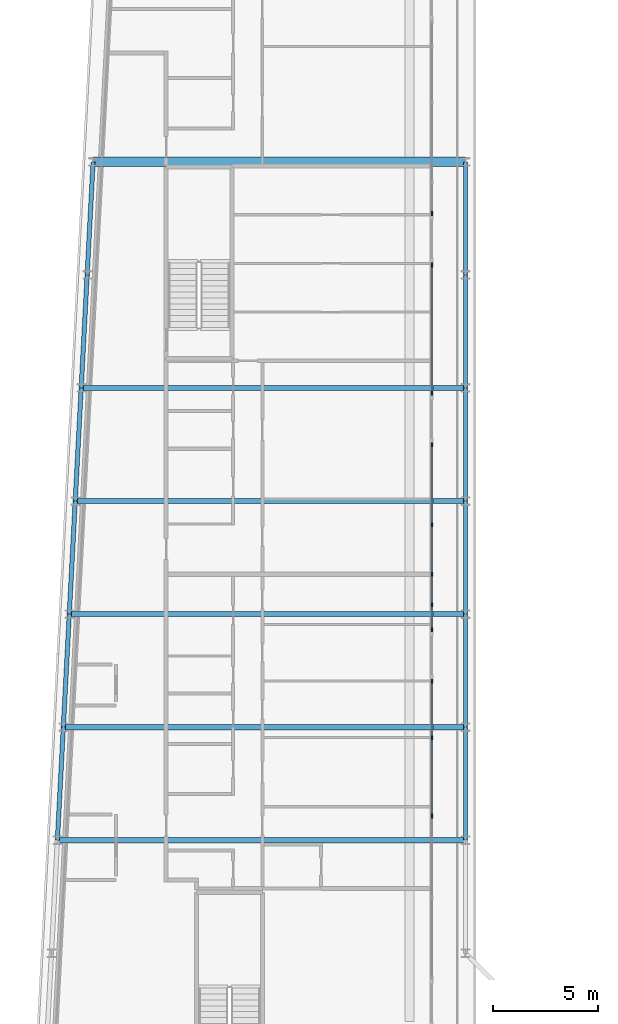
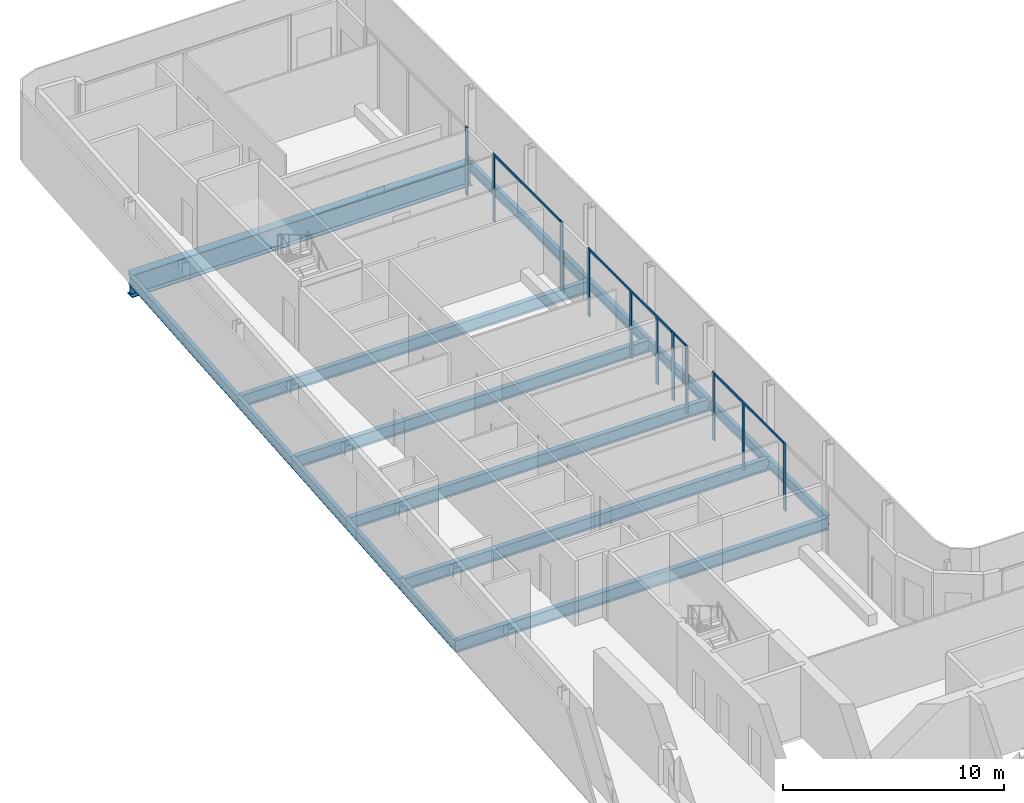
# One storey, part 7 of 21: 18 beams, 15 members, 5 elements without a shape of their own.
"""IFC4 building model written with IfcOpenShell, lengths in metres."""

from ifc_helpers import new_model, si_unit, direction, frame, origin, origin_2d, place, context, subcontext, project, spatial, rectangle, i_section, extrude, material, layer, layer_set, material_profile, profile_set, type_object, element, aggregate, save


model = new_model("IFC4")

# Units and contexts
model_context = context("Model", 3, precision=1e-05, world=origin(), true_north=direction((0.0, 1.0)))
body_context = subcontext(model_context, "Body", "Model", "MODEL_VIEW")
ifc_project = project(units=[si_unit("LENGTHUNIT", "METRE"), si_unit("AREAUNIT", "SQUARE_METRE"), si_unit("VOLUMEUNIT", "CUBIC_METRE"), si_unit("PLANEANGLEUNIT", "RADIAN"), si_unit("MASSUNIT", "GRAM", prefix="KILO")], contexts=[model_context])

# Site, building, storey
site_placement = place(None, origin())
site = spatial("IfcSite", under=ifc_project, at=site_placement, CompositionType="ELEMENT")
building_placement = place(site_placement, origin())
building = spatial("IfcBuilding", under=site, at=building_placement, Name="Kheshtan School and Residences Tower", CompositionType="ELEMENT")
storey_placement = place(building_placement, frame((0.0, 0.0, 313.699951171875)))
storey = spatial("IfcBuildingStorey", under=building, at=storey_placement, Name="L74", CompositionType="ELEMENT", Elevation=313.699951171875)

# Beams
ifc_material_1 = material(Name="Steel ASTM A992 Grade 50", Category="steel")
ifc_material_profile_1 = material_profile(ifc_material_1, i_section(OverallWidth=0.2529296875, OverallDepth=0.677978515625, WebThickness=0.01171875, FlangeThickness=0.016357421875, FilletRadius=0.0146484375, at=origin_2d()), Name="W690x125")
ifc_profile_set_1 = profile_set([ifc_material_profile_1], Name="Steel ASTM A992 Grade 50")
beam_type_1 = type_object("IfcBeamType", Name="Beam FB6 W690x125 ASTM A992 Grade 50", PredefinedType="BEAM", material=ifc_profile_set_1)
beam_1_placement = place(storey_placement, frame((47.60009765625, 78.0, -0.489013671875), z_axis=(-1.0, 0.0, 0.0), x_axis=(0.0, -1.0, 0.0)))
element("IfcBeam", 1, at=beam_1_placement, inside=storey, type_object=beam_type_1, Name="Floor beam C089", PredefinedType="BEAM", context=body_context, shape_type="SweptSolid", body=[
    extrude(i_section(OverallWidth=0.2529296875, OverallDepth=0.677978515625, WebThickness=0.01171875, FlangeThickness=0.016357421875, FilletRadius=0.0146484375, at=origin_2d()), origin(), (0.0, 0.0, 1.0), 18.357177734375),
])
beam_2_placement = place(storey_placement, frame((47.60009765625, 67.199951171875, -0.489013671875), z_axis=(-1.0, 0.0, 0.0), x_axis=(0.0, -1.0, 0.0)))
element("IfcBeam", 2, at=beam_2_placement, inside=storey, type_object=beam_type_1, Name="Floor beam C085", PredefinedType="BEAM", context=body_context, shape_type="SweptSolid", body=[
    extrude(i_section(OverallWidth=0.2529296875, OverallDepth=0.677978515625, WebThickness=0.01171875, FlangeThickness=0.016357421875, FilletRadius=0.0146484375, at=origin_2d()), origin(), (0.0, 0.0, 1.0), 18.926025390625),
])
beam_3_placement = place(storey_placement, frame((47.60009765625, 56.39990234375, -0.489013671875), z_axis=(-1.0, 0.0, 0.0), x_axis=(0.0, -1.0, 0.0)))
element("IfcBeam", 3, at=beam_3_placement, inside=storey, type_object=beam_type_1, Name="Floor beam C081", PredefinedType="BEAM", context=body_context, shape_type="SweptSolid", body=[
    extrude(i_section(OverallWidth=0.2529296875, OverallDepth=0.677978515625, WebThickness=0.01171875, FlangeThickness=0.016357421875, FilletRadius=0.0146484375, at=origin_2d()), origin(), (0.0, 0.0, 1.0), 19.494140625),
])
beam_4_placement = place(storey_placement, frame((28.389892578125, 61.800048828125, -0.489013671875), z_axis=(1.0, 0.0, 0.0), x_axis=(0.0, 1.0, 0.0)))
element("IfcBeam", 4, at=beam_4_placement, inside=storey, type_object=beam_type_1, Name="Floor beam C082", PredefinedType="BEAM", context=body_context, shape_type="SweptSolid", body=[
    extrude(i_section(OverallWidth=0.2529296875, OverallDepth=0.677978515625, WebThickness=0.01171875, FlangeThickness=0.016357421875, FilletRadius=0.0146484375, at=origin_2d()), origin(), (0.0, 0.0, 1.0), 19.210205078125),
])
beam_5_placement = place(storey_placement, frame((28.9580078125, 72.60009765625, -0.489013671875), z_axis=(1.0, 0.0, 0.0), x_axis=(0.0, 1.0, 0.0)))
element("IfcBeam", 5, at=beam_5_placement, inside=storey, type_object=beam_type_1, Name="Floor beam C086", PredefinedType="BEAM", context=body_context, shape_type="SweptSolid", body=[
    extrude(i_section(OverallWidth=0.2529296875, OverallDepth=0.677978515625, WebThickness=0.01171875, FlangeThickness=0.016357421875, FilletRadius=0.0146484375, at=origin_2d()), origin(), (0.0, 0.0, 1.0), 18.64208984375),
])
ifc_material_profile_2 = material_profile(ifc_material_1, i_section(OverallWidth=0.208984375, OverallDepth=0.532958984375, WebThickness=0.01025390625, FlangeThickness=0.015625, FilletRadius=0.013916015625, at=origin_2d()), Name="W530x92")
ifc_profile_set_2 = profile_set([ifc_material_profile_2], Name="Steel ASTM A992 Grade 50")
beam_type_2 = type_object("IfcBeamType", Name="Beam SP3 W530x92 ASTM A992 Grade 50", PredefinedType="BEAM", material=ifc_profile_set_2)
beam_6_placement = place(storey_placement, frame((47.60009765625, 88.800048828125, -0.41650390625), z_axis=(0.0, -1.0, 0.0), x_axis=(1.0, 0.0, 0.0)))
element("IfcBeam", 6, at=beam_6_placement, inside=storey, type_object=beam_type_2, Name="Spandrel beam C099-C091", PredefinedType="BEAM", context=body_context, shape_type="SweptSolid", body=[
    extrude(i_section(OverallWidth=0.208984375, OverallDepth=0.532958984375, WebThickness=0.01025390625, FlangeThickness=0.015625, FilletRadius=0.013916015625, at=origin_2d()), origin(), (0.0, 0.0, 1.0), 5.400146484375),
])
for number, where, z_axis, x_axis, name in (
    (7, (47.60009765625, 83.39990234375, -0.41650390625), (0.0, -1.0, 0.0), (1.0, 0.0, 0.0), "Spandrel beam C091-C089"),
    (8, (47.60009765625, 78.0, -0.41650390625), (0.0, -1.0, 0.0), (1.0, 0.0, 0.0), "Spandrel beam C089-C087"),
):
    element("IfcBeam", number, at=place(storey_placement, frame(where, z_axis=z_axis, x_axis=x_axis)), inside=storey, type_object=beam_type_2, Name=name, PredefinedType="BEAM", context=body_context, shape_type="SweptSolid", body=[
        extrude(i_section(OverallWidth=0.208984375, OverallDepth=0.532958984375, WebThickness=0.01025390625, FlangeThickness=0.015625, FilletRadius=0.013916015625, at=origin_2d()), origin(), (0.0, 0.0, 1.0), 5.39990234375),
    ])
beam_7_placement = place(storey_placement, frame((47.60009765625, 72.60009765625, -0.41650390625), z_axis=(0.0, -1.0, 0.0), x_axis=(1.0, 0.0, 0.0)))
element("IfcBeam", 9, at=beam_7_placement, inside=storey, type_object=beam_type_2, Name="Spandrel beam C087-C085", PredefinedType="BEAM", context=body_context, shape_type="SweptSolid", body=[
    extrude(i_section(OverallWidth=0.208984375, OverallDepth=0.532958984375, WebThickness=0.01025390625, FlangeThickness=0.015625, FilletRadius=0.013916015625, at=origin_2d()), origin(), (0.0, 0.0, 1.0), 5.400146484375),
])
beam_8_placement = place(storey_placement, frame((47.60009765625, 67.199951171875, -0.41650390625), z_axis=(0.0, -1.0, 0.0), x_axis=(1.0, 0.0, 0.0)))
element("IfcBeam", 10, at=beam_8_placement, inside=storey, type_object=beam_type_2, Name="Spandrel beam C085-C083", PredefinedType="BEAM", context=body_context, shape_type="SweptSolid", body=[
    extrude(i_section(OverallWidth=0.208984375, OverallDepth=0.532958984375, WebThickness=0.01025390625, FlangeThickness=0.015625, FilletRadius=0.013916015625, at=origin_2d()), origin(), (0.0, 0.0, 1.0), 5.39990234375),
])
beam_9_placement = place(storey_placement, frame((47.60009765625, 61.800048828125, -0.41650390625), z_axis=(0.0, -1.0, 0.0), x_axis=(1.0, 0.0, 0.0)))
element("IfcBeam", 11, at=beam_9_placement, inside=storey, type_object=beam_type_2, Name="Spandrel beam C083-C081", PredefinedType="BEAM", context=body_context, shape_type="SweptSolid", body=[
    extrude(i_section(OverallWidth=0.208984375, OverallDepth=0.532958984375, WebThickness=0.01025390625, FlangeThickness=0.015625, FilletRadius=0.013916015625, at=origin_2d()), origin(), (0.0, 0.0, 1.0), 5.400146484375),
])
beam_10_placement = place(storey_placement, frame((28.10595703125, 56.39990234375, -0.41650390625), z_axis=(0.05250670125, 0.998620571751, 0.0), x_axis=(-0.998620571751, 0.05250670125, 0.0)))
element("IfcBeam", 12, at=beam_10_placement, inside=storey, type_object=beam_type_2, Name="Spandrel beam C080-C082", PredefinedType="BEAM", context=body_context, shape_type="SweptSolid", body=[
    extrude(i_section(OverallWidth=0.208984375, OverallDepth=0.532958984375, WebThickness=0.01025390625, FlangeThickness=0.015625, FilletRadius=0.013916015625, at=origin_2d()), origin(), (0.0, 0.0, 1.0), 5.40771484375),
])
beam_11_placement = place(storey_placement, frame((28.389892578125, 61.800048828125, -0.41650390625), z_axis=(0.052554093665, 0.998618078766, 0.0), x_axis=(-0.998618078766, 0.052554093665, 0.0)))
element("IfcBeam", 13, at=beam_11_placement, inside=storey, type_object=beam_type_2, Name="Spandrel beam C082-C084", PredefinedType="BEAM", context=body_context, shape_type="SweptSolid", body=[
    extrude(i_section(OverallWidth=0.208984375, OverallDepth=0.532958984375, WebThickness=0.01025390625, FlangeThickness=0.015625, FilletRadius=0.013916015625, at=origin_2d()), origin(), (0.0, 0.0, 1.0), 5.407470703125),
])
beam_12_placement = place(storey_placement, frame((28.674072265625, 67.199951171875, -0.41650390625), z_axis=(0.05250670125, 0.998620571751, 0.0), x_axis=(-0.998620571751, 0.05250670125, 0.0)))
element("IfcBeam", 14, at=beam_12_placement, inside=storey, type_object=beam_type_2, Name="Spandrel beam C084-C086", PredefinedType="BEAM", context=body_context, shape_type="SweptSolid", body=[
    extrude(i_section(OverallWidth=0.208984375, OverallDepth=0.532958984375, WebThickness=0.01025390625, FlangeThickness=0.015625, FilletRadius=0.013916015625, at=origin_2d()), origin(), (0.0, 0.0, 1.0), 5.40771484375),
])
for number, where, z_axis, x_axis, name in (
    (15, (28.9580078125, 72.60009765625, -0.41650390625), (0.052689166816, 0.998610961136, 0.0), (-0.998610961136, 0.052689166816, 0.0), "Spandrel beam C086-C088"),
    (16, (29.242919921875, 78.0, -0.41650390625), (0.052554093665, 0.998618078766, 0.0), (-0.998618078766, 0.052554093665, 0.0), "Spandrel beam C088-C090"),
):
    element("IfcBeam", number, at=place(storey_placement, frame(where, z_axis=z_axis, x_axis=x_axis)), inside=storey, type_object=beam_type_2, Name=name, PredefinedType="BEAM", context=body_context, shape_type="SweptSolid", body=[
        extrude(i_section(OverallWidth=0.208984375, OverallDepth=0.532958984375, WebThickness=0.01025390625, FlangeThickness=0.015625, FilletRadius=0.013916015625, at=origin_2d()), origin(), (0.0, 0.0, 1.0), 5.407470703125),
    ])
beam_13_placement = place(storey_placement, frame((29.527099609375, 83.39990234375, -0.41650390625), z_axis=(0.05250670125, 0.998620571751, 0.0), x_axis=(-0.998620571751, 0.05250670125, 0.0)))
element("IfcBeam", 17, at=beam_13_placement, inside=storey, type_object=beam_type_2, Name="Spandrel beam C090-C098", PredefinedType="BEAM", context=body_context, shape_type="SweptSolid", body=[
    extrude(i_section(OverallWidth=0.208984375, OverallDepth=0.532958984375, WebThickness=0.01025390625, FlangeThickness=0.015625, FilletRadius=0.013916015625, at=origin_2d()), origin(), (0.0, 0.0, 1.0), 5.40771484375),
])

# Curtain wall, member
ifc_material_2 = material(Name="Clear low-e glass in thermally broken aluminium frame", Category="aluminium")
ifc_layer = layer(ifc_material_2, 0.199951171875)
ifc_layer_set = layer_set([ifc_layer], Name="Curtain wall CW-L")
curtain_wall_type = type_object("IfcCurtainWallType", Name="Curtain wall CW-L", PredefinedType="NOTDEFINED", material=ifc_layer_set)
curtain_wall_1_placement = place(storey_placement, origin())
curtain_wall_1 = element("IfcCurtainWall", 18, at=curtain_wall_1_placement, inside=storey, type_object=curtain_wall_type, Name="Curtain wall CWL8a", PredefinedType="NOTDEFINED")
ifc_material_3 = material(Name="Thermally broken aluminium, dark bronze anodised", Category="aluminium")
ifc_material_profile_3 = material_profile(ifc_material_3, rectangle(XDim=0.06005859375, YDim=0.199951171875, at=origin_2d()), Name="CW-L mullion 60x200")
ifc_profile_set_3 = profile_set([ifc_material_profile_3], Name="Thermally broken aluminium, dark bronze anodised")
member_type_1 = type_object("IfcMemberType", Name="CW-L mullion 60x200", PredefinedType="MULLION", material=ifc_profile_set_3)
member_1_placement = place(storey_placement, frame((46.0, 86.3359375, 0.0), z_axis=(0.0, 0.0, 1.0), x_axis=(1.0, 0.0, 0.0)))
member_1 = element("IfcMember", 19, at=member_1_placement, type_object=member_type_1, Name="CWL8a mullion 2", PredefinedType="MULLION", context=body_context, shape_type="SweptSolid", body=[
    extrude(rectangle(XDim=0.06005859375, YDim=0.199951171875, at=origin_2d()), origin(), (0.0, 0.0, 1.0), 3.75),
])
aggregate(curtain_wall_1, [member_1])

# Curtain wall, members
curtain_wall_2_placement = place(storey_placement, origin())
curtain_wall_2 = element("IfcCurtainWall", 20, at=curtain_wall_2_placement, inside=storey, type_object=curtain_wall_type, Name="Curtain wall CWL8d", PredefinedType="NOTDEFINED")
member_2_placement = place(storey_placement, frame((46.0, 83.8759765625, 0.0), z_axis=(0.0, 0.0, 1.0), x_axis=(1.0, 0.0, 0.0)))
member_2 = element("IfcMember", 21, at=member_2_placement, type_object=member_type_1, Name="CWL8d mullion 1", PredefinedType="MULLION", context=body_context, shape_type="SweptSolid", body=[
    extrude(rectangle(XDim=0.06005859375, YDim=0.199951171875, at=origin_2d()), origin(), (0.0, 0.0, 1.0), 3.75),
])
member_3_placement = place(storey_placement, frame((46.0, 77.741943359375, 0.0), z_axis=(0.0, 0.0, 1.0), x_axis=(1.0, 0.0, 0.0)))
member_3 = element("IfcMember", 22, at=member_3_placement, type_object=member_type_1, Name="CWL8d mullion 2", PredefinedType="MULLION", context=body_context, shape_type="SweptSolid", body=[
    extrude(rectangle(XDim=0.06005859375, YDim=0.199951171875, at=origin_2d()), origin(), (0.0, 0.0, 1.0), 3.75),
])

curtain_wall_3_placement = place(storey_placement, origin())
curtain_wall_3 = element("IfcCurtainWall", 23, at=curtain_wall_3_placement, inside=storey, type_object=curtain_wall_type, Name="Curtain wall CWL8c", PredefinedType="NOTDEFINED")
member_4_placement = place(storey_placement, frame((46.0, 75.281982421875, 0.0), z_axis=(0.0, 0.0, 1.0), x_axis=(1.0, 0.0, 0.0)))
member_4 = element("IfcMember", 24, at=member_4_placement, type_object=member_type_1, Name="CWL8c mullion 1", PredefinedType="MULLION", context=body_context, shape_type="SweptSolid", body=[
    extrude(rectangle(XDim=0.06005859375, YDim=0.199951171875, at=origin_2d()), origin(), (0.0, 0.0, 1.0), 3.75),
])
member_5_placement = place(storey_placement, frame((46.0, 71.465087890625, 0.0), z_axis=(0.0, 0.0, 1.0), x_axis=(1.0, 0.0, 0.0)))
member_5 = element("IfcMember", 25, at=member_5_placement, type_object=member_type_1, Name="CWL8c mullion 2", PredefinedType="MULLION", context=body_context, shape_type="SweptSolid", body=[
    extrude(rectangle(XDim=0.06005859375, YDim=0.199951171875, at=origin_2d()), origin(), (0.0, 0.0, 1.0), 3.630126953125),
])
member_6_placement = place(storey_placement, frame((46.0, 69.10009765625, 0.0), z_axis=(0.0, 0.0, 1.0), x_axis=(1.0, 0.0, 0.0)))
member_6 = element("IfcMember", 26, at=member_6_placement, type_object=member_type_1, Name="CWL8c mullion 3", PredefinedType="MULLION", context=body_context, shape_type="SweptSolid", body=[
    extrude(rectangle(XDim=0.06005859375, YDim=0.199951171875, at=origin_2d()), origin(), (0.0, 0.0, 1.0), 3.630126953125),
])
member_7_placement = place(storey_placement, frame((46.0, 67.64794921875, 0.0), z_axis=(0.0, 0.0, 1.0), x_axis=(1.0, 0.0, 0.0)))
member_7 = element("IfcMember", 27, at=member_7_placement, type_object=member_type_1, Name="CWL8c mullion 4", PredefinedType="MULLION", context=body_context, shape_type="SweptSolid", body=[
    extrude(rectangle(XDim=0.06005859375, YDim=0.199951171875, at=origin_2d()), origin(), (0.0, 0.0, 1.0), 3.75),
])

# Curtain wall, member
curtain_wall_4_placement = place(storey_placement, origin())
curtain_wall_4 = element("IfcCurtainWall", 28, at=curtain_wall_4_placement, inside=storey, type_object=curtain_wall_type, Name="Curtain wall CWL8g", PredefinedType="NOTDEFINED")
member_8_placement = place(storey_placement, frame((46.0, 66.447998046875, 0.0), z_axis=(0.0, 0.0, 1.0), x_axis=(1.0, 0.0, 0.0)))
member_8 = element("IfcMember", 29, at=member_8_placement, type_object=member_type_1, Name="CWL8g mullion 2", PredefinedType="MULLION", context=body_context, shape_type="SweptSolid", body=[
    extrude(rectangle(XDim=0.06005859375, YDim=0.199951171875, at=origin_2d()), origin(), (0.0, 0.0, 1.0), 3.75),
])

# Curtain wall, members
curtain_wall_5_placement = place(storey_placement, origin())
curtain_wall_5 = element("IfcCurtainWall", 30, at=curtain_wall_5_placement, inside=storey, type_object=curtain_wall_type, Name="Curtain wall CWL8k", PredefinedType="NOTDEFINED")
member_9_placement = place(storey_placement, frame((46.0, 63.988037109375, 0.0), z_axis=(0.0, 0.0, 1.0), x_axis=(1.0, 0.0, 0.0)))
member_9 = element("IfcMember", 31, at=member_9_placement, type_object=member_type_1, Name="CWL8k mullion 1", PredefinedType="MULLION", context=body_context, shape_type="SweptSolid", body=[
    extrude(rectangle(XDim=0.06005859375, YDim=0.199951171875, at=origin_2d()), origin(), (0.0, 0.0, 1.0), 3.75),
])
member_10_placement = place(storey_placement, frame((46.0, 61.300048828125, 0.0), z_axis=(0.0, 0.0, 1.0), x_axis=(1.0, 0.0, 0.0)))
member_10 = element("IfcMember", 32, at=member_10_placement, type_object=member_type_1, Name="CWL8k mullion 2", PredefinedType="MULLION", context=body_context, shape_type="SweptSolid", body=[
    extrude(rectangle(XDim=0.06005859375, YDim=0.199951171875, at=origin_2d()), origin(), (0.0, 0.0, 1.0), 3.630126953125),
])
member_11_placement = place(storey_placement, frame((46.0, 57.553955078125, 0.0), z_axis=(0.0, 0.0, 1.0), x_axis=(1.0, 0.0, 0.0)))
member_11 = element("IfcMember", 33, at=member_11_placement, type_object=member_type_1, Name="CWL8k mullion 3", PredefinedType="MULLION", context=body_context, shape_type="SweptSolid", body=[
    extrude(rectangle(XDim=0.06005859375, YDim=0.199951171875, at=origin_2d()), origin(), (0.0, 0.0, 1.0), 3.75),
])

# Member
ifc_material_profile_4 = material_profile(ifc_material_3, rectangle(XDim=0.06005859375, YDim=0.1201171875, at=origin_2d()), Name="CW-L transom 60x120")
ifc_profile_set_4 = profile_set([ifc_material_profile_4], Name="Thermally broken aluminium, dark bronze anodised")
member_type_2 = type_object("IfcMemberType", Name="CW-L transom 60x120", PredefinedType="USERDEFINED", material=ifc_profile_set_4)
member_12_placement = place(storey_placement, frame((46.0, 83.845947265625, 3.68994140625), z_axis=(0.0, -1.0, 0.0), x_axis=(1.0, 0.0, 0.0)))
member_12 = element("IfcMember", 34, at=member_12_placement, type_object=member_type_2, Name="CWL8d transom 1", ObjectType="TRANSOM", PredefinedType="USERDEFINED", context=body_context, shape_type="SweptSolid", body=[
    extrude(rectangle(XDim=0.06005859375, YDim=0.1201171875, at=origin_2d()), origin(), (0.0, 0.0, 1.0), 6.073974609375),
])

aggregate(curtain_wall_2, [member_2, member_3, member_12])

member_13_placement = place(storey_placement, frame((46.0, 75.251953125, 3.68994140625), z_axis=(0.0, -1.0, 0.0), x_axis=(1.0, 0.0, 0.0)))
member_13 = element("IfcMember", 35, at=member_13_placement, type_object=member_type_2, Name="CWL8c transom 1", ObjectType="TRANSOM", PredefinedType="USERDEFINED", context=body_context, shape_type="SweptSolid", body=[
    extrude(rectangle(XDim=0.06005859375, YDim=0.1201171875, at=origin_2d()), origin(), (0.0, 0.0, 1.0), 7.573974609375),
])

aggregate(curtain_wall_3, [member_4, member_5, member_6, member_7, member_13])

member_14_placement = place(storey_placement, frame((46.0, 67.617919921875, 3.68994140625), z_axis=(0.0, -1.0, 0.0), x_axis=(1.0, 0.0, 0.0)))
member_14 = element("IfcMember", 36, at=member_14_placement, type_object=member_type_2, Name="CWL8g transom 1", ObjectType="TRANSOM", PredefinedType="USERDEFINED", context=body_context, shape_type="SweptSolid", body=[
    extrude(rectangle(XDim=0.06005859375, YDim=0.1201171875, at=origin_2d()), origin(), (0.0, 0.0, 1.0), 1.139892578125),
])

aggregate(curtain_wall_4, [member_8, member_14])

member_15_placement = place(storey_placement, frame((46.0, 63.9580078125, 3.68994140625), z_axis=(0.0, -1.0, 0.0), x_axis=(1.0, 0.0, 0.0)))
member_15 = element("IfcMember", 37, at=member_15_placement, type_object=member_type_2, Name="CWL8k transom 1", ObjectType="TRANSOM", PredefinedType="USERDEFINED", context=body_context, shape_type="SweptSolid", body=[
    extrude(rectangle(XDim=0.06005859375, YDim=0.1201171875, at=origin_2d()), origin(), (0.0, 0.0, 1.0), 6.3740234375),
])

aggregate(curtain_wall_5, [member_9, member_10, member_11, member_15])

# Beam
ifc_material_profile_5 = material_profile(ifc_material_1, i_section(OverallWidth=0.449951171875, OverallDepth=1.25, WebThickness=0.02490234375, FlangeThickness=0.044921875, FilletRadius=0.03759765625, at=origin_2d()), Name="WWF1250x546")
ifc_profile_set_5 = profile_set([ifc_material_profile_5], Name="Steel ASTM A992 Grade 50")
beam_type_3 = type_object("IfcBeamType", Name="Transfer girder TG4 WWF1250x546 ASTM A992 Grade 50", PredefinedType="BEAM", material=ifc_profile_set_5)
beam_14_placement = place(storey_placement, frame((29.81103515625, 88.800048828125, -0.77490234375), z_axis=(1.0, 0.0, 0.0), x_axis=(0.0, 1.0, 0.0)))
element("IfcBeam", 38, at=beam_14_placement, inside=storey, type_object=beam_type_3, Name="Transfer girder C098-C099", PredefinedType="BEAM", context=body_context, shape_type="SweptSolid", body=[
    extrude(i_section(OverallWidth=0.449951171875, OverallDepth=1.25, WebThickness=0.02490234375, FlangeThickness=0.044921875, FilletRadius=0.03759765625, at=origin_2d()), origin(), (0.0, 0.0, 1.0), 17.7890625),
])

save(model, "model.ifc")
